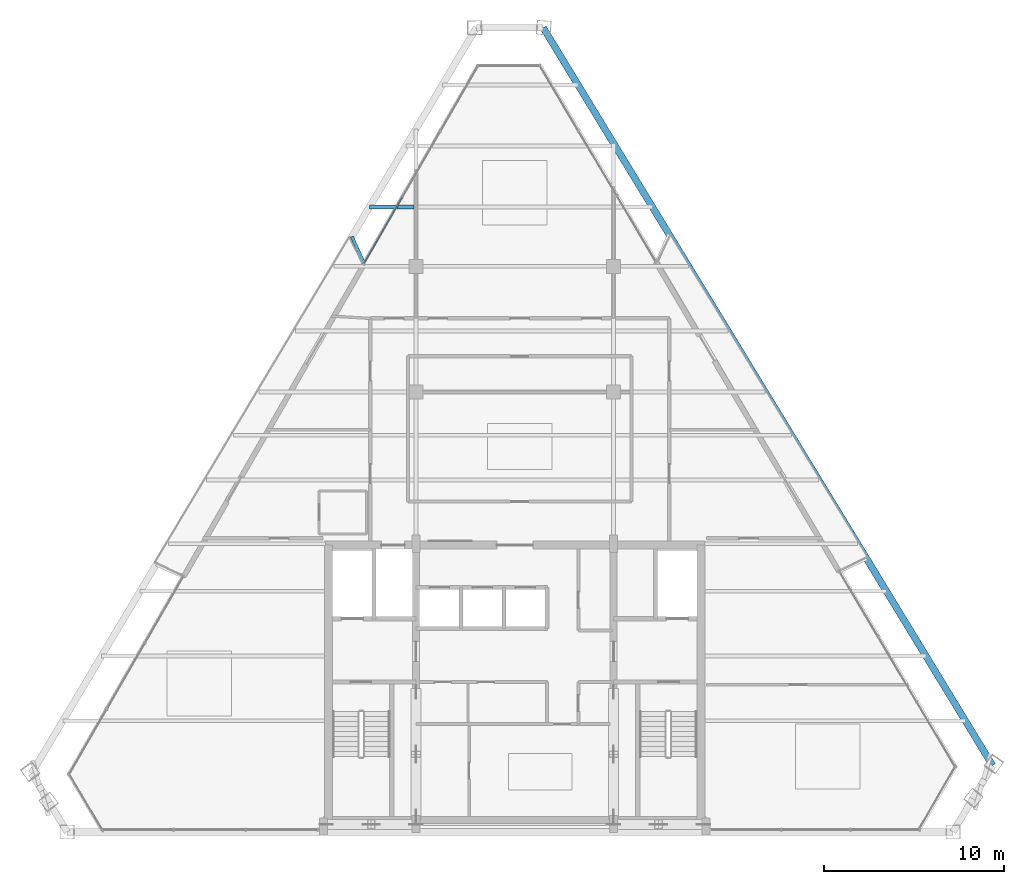
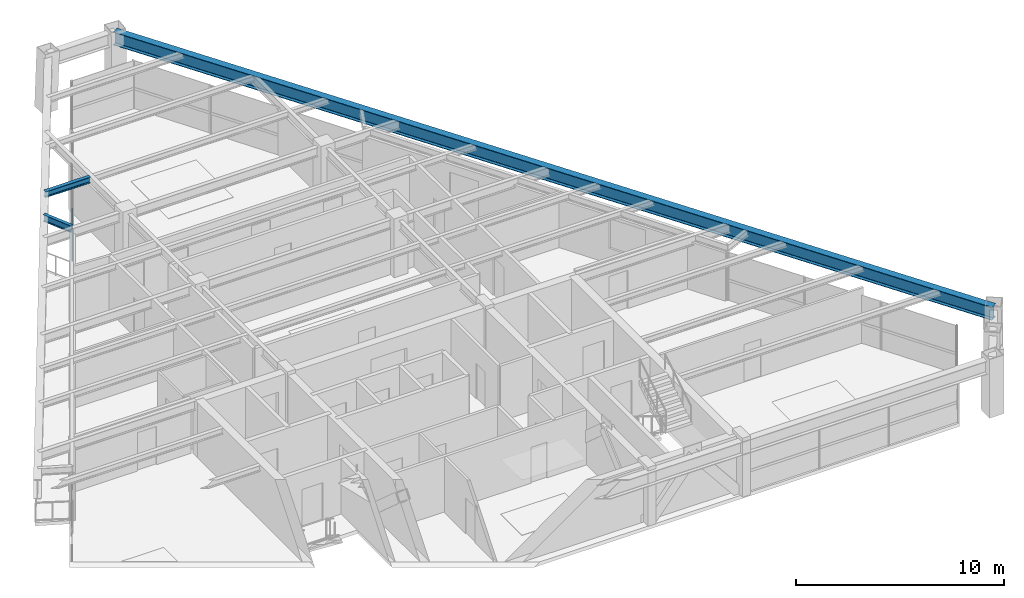
# One storey, part 6 of 13: 3 beams, 1 member, 1 element without a shape of its own.
"""IFC4 building model written with IfcOpenShell, lengths in metres."""

import ifcopenshell
import ifcopenshell.guid

model = None  # the IFC model being written
_history = None  # IfcOwnerHistory: only IFC2X3 demands one
_inside = {}  # id of a spatial element -> (the spatial element, [elements in it])
_under = {}  # id of a project, library or spatial element -> (it, [spatial elements below it])
_declared = {}  # id of a project -> (the project, [libraries it declares])
_typed = {}  # id of a type object -> (the type object, [elements of that type])
_made_of = {}  # id of a material, layer set ... -> (it, [elements and type objects made of it])


def new_model(schema):
    """Start an empty IFC model of exactly this schema.

    Asked for "IFC4X3", IfcOpenShell would pick the latest addendum, in which some entities
    have other attributes; the version numbers below select the first issue.
    IFC2X3 requires an IfcOwnerHistory on every rooted entity: one is made here for all.
    """
    global model, _history
    if schema == "IFC4X3":
        model = ifcopenshell.file(schema_version=(4, 3, 0, 0))
    else:
        model = ifcopenshell.file(schema=schema)
    _inside.clear()
    _under.clear()
    _declared.clear()
    _typed.clear()
    _made_of.clear()
    _history = None
    if model.schema == "IFC2X3":
        org = make("IfcOrganization", Name="unknown")
        user = make(
            "IfcPersonAndOrganization",
            ThePerson=make("IfcPerson", FamilyName="unknown"),
            TheOrganization=org,
        )
        app = make(
            "IfcApplication",
            ApplicationDeveloper=org,
            Version="unknown",
            ApplicationFullName="unknown",
            ApplicationIdentifier="unknown",
        )
        _history = make(
            "IfcOwnerHistory",
            OwningUser=user,
            OwningApplication=app,
            ChangeAction="ADDED",
            CreationDate=0,
        )
    return model


def make(cls, **values):
    """One entity of the class cls with the attributes given. An attribute that is None is left unset."""
    return model.create_entity(
        cls, **{name: value for name, value in values.items() if value is not None}
    )


def rooted(cls, **values):
    """An entity with a GlobalId (a new one), such as an element, a storey or a relation."""
    return make(cls, GlobalId=ifcopenshell.guid.new(), OwnerHistory=_history, **values)


def si_unit(unit_type, name, prefix=None):
    """IfcSIUnit, for example si_unit("LENGTHUNIT", "METRE", prefix="MILLI")."""
    return make("IfcSIUnit", UnitType=unit_type, Prefix=prefix, Name=name)


def assignment(units):
    """IfcUnitAssignment: the units of a project."""
    return None if units is None else make("IfcUnitAssignment", Units=units)


def point(xyz):
    """IfcCartesianPoint."""
    return None if xyz is None else make("IfcCartesianPoint", Coordinates=xyz)


def direction(xyz):
    """IfcDirection."""
    return None if xyz is None else make("IfcDirection", DirectionRatios=xyz)


def frame(location, z_axis=None, x_axis=None):
    """IfcAxis2Placement3D, a coordinate frame: its origin and axes. An axis left out is left unset."""
    return make(
        "IfcAxis2Placement3D",
        Location=point(location),
        Axis=direction(z_axis),
        RefDirection=direction(x_axis),
    )


def frame_2d(location, x_axis=None):
    """IfcAxis2Placement2D, a coordinate frame in the plane: its origin and x axis."""
    return make(
        "IfcAxis2Placement2D", Location=point(location), RefDirection=direction(x_axis)
    )


def origin():
    """The frame at (0, 0, 0) with its axes left unset."""
    return frame((0.0, 0.0, 0.0))


def origin_2d():
    """The frame at (0, 0) in the plane with its x axis left unset."""
    return frame_2d((0.0, 0.0))


def place(relative_to, where):
    """IfcLocalPlacement: puts the frame where relative to a parent placement (None: the world)."""
    return make(
        "IfcLocalPlacement", PlacementRelTo=relative_to, RelativePlacement=where
    )


def context(
    kind, dimensions, precision=None, world=None, true_north=None, identifier=None
):
    """IfcGeometricRepresentationContext, for example the 3D "Model" context."""
    return make(
        "IfcGeometricRepresentationContext",
        ContextIdentifier=identifier,
        ContextType=kind,
        CoordinateSpaceDimension=dimensions,
        Precision=precision,
        WorldCoordinateSystem=world,
        TrueNorth=true_north,
    )


def subcontext(parent, identifier, kind, view, scale=None):
    """IfcGeometricRepresentationSubContext, for example "Body" below "Model"."""
    return make(
        "IfcGeometricRepresentationSubContext",
        ContextIdentifier=identifier,
        ContextType=kind,
        ParentContext=parent,
        TargetScale=scale,
        TargetView=view,
    )


def project(units=None, contexts=None):
    """IfcProject with its units and contexts."""
    return rooted(
        "IfcProject",
        Name="project",
        RepresentationContexts=contexts,
        UnitsInContext=assignment(units),
    )


def spatial(cls, under=None, at=None, **own):
    """A site, building, storey or space (cls), placed at a placement, below another one or the project."""
    s = rooted(cls, ObjectPlacement=at, **own)
    if under is not None:
        _under.setdefault(under.id(), (under, []))[1].append(s)
    return s


def profile(cls, at=None, kind="AREA", **sizes):
    """A parametric profile (cls). Its sizes go by their IFC names, for example OverallWidth=200.0."""
    return make(cls, ProfileType=kind, Position=at, **sizes)


def rectangle(**sizes):
    """IfcRectangleProfileDef."""
    return profile("IfcRectangleProfileDef", **sizes)


def i_section(**sizes):
    """IfcIShapeProfileDef."""
    return profile("IfcIShapeProfileDef", **sizes)


def extrude(swept, where, along, depth):
    """IfcExtrudedAreaSolid: the profile swept, set in the frame where, extruded along a direction by depth."""
    return make(
        "IfcExtrudedAreaSolid",
        SweptArea=swept,
        Position=where,
        ExtrudedDirection=direction(along),
        Depth=depth,
    )


def shape(context_of_items, identifier, shape_type, items):
    """IfcShapeRepresentation: the items that make up one representation, for example the "Body"."""
    return make(
        "IfcShapeRepresentation",
        ContextOfItems=context_of_items,
        RepresentationIdentifier=identifier,
        RepresentationType=shape_type,
        Items=items,
    )


def source(mapping_origin, context_of_items, identifier, shape_type, items):
    """IfcRepresentationMap: a shape defined once, which mapped items show again and again."""
    return make(
        "IfcRepresentationMap",
        MappingOrigin=mapping_origin,
        MappedRepresentation=shape(context_of_items, identifier, shape_type, items),
    )


def transform(
    local_origin,
    x_axis=None,
    y_axis=None,
    z_axis=None,
    scale=None,
    scale2=None,
    scale3=None,
    uniform=True,
):
    """IfcCartesianTransformationOperator3D, or its non-uniform kind. x_axis, y_axis, z_axis: its Axis1, 2, 3."""
    if uniform:
        return make(
            "IfcCartesianTransformationOperator3D",
            Axis1=direction(x_axis),
            Axis2=direction(y_axis),
            LocalOrigin=point(local_origin),
            Scale=scale,
            Axis3=direction(z_axis),
        )
    return make(
        "IfcCartesianTransformationOperator3DnonUniform",
        Axis1=direction(x_axis),
        Axis2=direction(y_axis),
        LocalOrigin=point(local_origin),
        Scale=scale,
        Axis3=direction(z_axis),
        Scale2=scale2,
        Scale3=scale3,
    )


def mapped(mapping_source, mapping_target):
    """IfcMappedItem: shows the shape of a source again, moved by a transform."""
    return make(
        "IfcMappedItem", MappingSource=mapping_source, MappingTarget=mapping_target
    )


def material(Name=None, Category=None):
    """IfcMaterial."""
    return make("IfcMaterial", Name=Name, Category=Category)


def material_profile(
    of_material, cross_section, Name=None, Category=None, Priority=None
):
    """IfcMaterialProfile: a cross section and its material."""
    return make(
        "IfcMaterialProfile",
        Name=Name,
        Material=of_material,
        Profile=cross_section,
        Priority=Priority,
        Category=Category,
    )


def profile_set(profiles, Name=None, composite=None):
    """IfcMaterialProfileSet."""
    return make(
        "IfcMaterialProfileSet",
        Name=Name,
        MaterialProfiles=profiles,
        CompositeProfile=composite,
    )


def made_of(thing, what):
    """Note that an element or type object is made of a material, layer set ...; save() writes the relation."""
    if what is not None:
        _made_of.setdefault(what.id(), (what, []))[1].append(thing)
    return thing


def type_object(cls, material=None, **own):
    """A type object (cls), such as IfcWallType, which elements share."""
    return made_of(rooted(cls, **own), material)


def element(
    cls,
    number,
    at=None,
    inside=None,
    cuts=None,
    type_object=None,
    material=None,
    context=None,
    identifier="Body",
    shape_type=None,
    held_by="IfcProductDefinitionShape",
    body=None,
    shapes=None,
    **own,
):
    """One element of the class cls, such as IfcWall. Its Tag is "e" and its number.

    at: its placement. inside: the storey or other place that contains it. cuts: it is an
    opening in that element (IfcRelVoidsElement). A single representation is given by context,
    identifier, shape_type and body (its items); several are given by shapes. held_by: the class
    of the entity that holds the representations. save() writes the other relations.
    """
    e = rooted(cls, Tag="e%d" % number, ObjectPlacement=at, **own)
    if body is not None:
        shapes = [shape(context, identifier, shape_type, body)]
    if shapes is not None:
        e.Representation = make(held_by, Representations=shapes)
    if inside is not None:
        _inside.setdefault(inside.id(), (inside, []))[1].append(e)
    if cuts is not None:
        rooted(
            "IfcRelVoidsElement", RelatingBuildingElement=cuts, RelatedOpeningElement=e
        )
    if type_object is not None:
        _typed.setdefault(type_object.id(), (type_object, []))[1].append(e)
    return made_of(e, material)


def aggregate(whole, parts):
    """IfcRelAggregates: a whole, such as a stair, and the parts it consists of."""
    return rooted("IfcRelAggregates", RelatingObject=whole, RelatedObjects=parts)


def save(model, path):
    """Write the relations noted so far, then the file.

    IfcRelAggregates (storeys below a building ...), IfcRelContainedInSpatialStructure (elements
    in a storey), IfcRelDefinesByType, IfcRelAssociatesMaterial and IfcRelDeclares: one each for
    every whole, place, type object, material and project.
    """
    for whole, parts in _under.values():
        aggregate(whole, parts)
    for where, things in _inside.values():
        rooted(
            "IfcRelContainedInSpatialStructure",
            RelatedElements=things,
            RelatingStructure=where,
        )
    for kind, things in _typed.values():
        rooted("IfcRelDefinesByType", RelatedObjects=things, RelatingType=kind)
    for what, things in _made_of.values():
        rooted("IfcRelAssociatesMaterial", RelatedObjects=things, RelatingMaterial=what)
    for by, libraries in _declared.values():
        rooted("IfcRelDeclares", RelatingContext=by, RelatedDefinitions=libraries)
    model.write(path)


model = new_model("IFC4")

# Units and contexts
model_context = context("Model", 3, precision=1e-05, world=origin(), true_north=direction((0.0, 1.0)))
body_context = subcontext(model_context, "Body", "Model", "MODEL_VIEW")
ifc_project = project(units=[si_unit("LENGTHUNIT", "METRE"), si_unit("AREAUNIT", "SQUARE_METRE"), si_unit("VOLUMEUNIT", "CUBIC_METRE"), si_unit("PLANEANGLEUNIT", "RADIAN"), si_unit("MASSUNIT", "GRAM", prefix="KILO")], contexts=[model_context])

# Site, building, storey
site_placement = place(None, origin())
site = spatial("IfcSite", under=ifc_project, at=site_placement, CompositionType="ELEMENT")
building_placement = place(site_placement, origin())
building = spatial("IfcBuilding", under=site, at=building_placement, Name="Varnakhor Terracotta Tower", CompositionType="ELEMENT")
storey_placement = place(building_placement, frame((0.0, 0.0, 276.449951171875)))
storey = spatial("IfcBuildingStorey", under=building, at=storey_placement, Name="L72", CompositionType="ELEMENT", Elevation=276.449951171875)

# Beams
ifc_material_1 = material(Name="Steel S355", Category="steel")
ifc_material_profile_1 = material_profile(ifc_material_1, i_section(OverallWidth=0.381103515625, OverallDepth=0.77294921875, WebThickness=0.01708984375, FlangeThickness=0.027099609375, FilletRadius=0.01806640625, at=origin_2d()), Name="W30X173")
ifc_profile_set_1 = profile_set([ifc_material_profile_1], Name="Steel S355")
beam_type_1 = type_object("IfcBeamType", Name="BM-W30X173", PredefinedType="BEAM", material=ifc_profile_set_1)
shared_shape_1 = source(origin(), body_context, "Body", "SweptSolid", [
    extrude(i_section(OverallWidth=0.381103515625, OverallDepth=0.77294921875, WebThickness=0.01708984375, FlangeThickness=0.027099609375, FilletRadius=0.01806640625, at=origin_2d()), origin(), (0.0, 0.0, 1.0), 48.109619140625),
])
beam_1_placement = place(storey_placement, frame((26.607177734375, 3.69970703125, 2.853515625), z_axis=(-0.520214163862, 0.854035844516, 0.0), x_axis=(-0.854035844516, -0.520214163862, 0.0)))
element("IfcBeam", 1, at=beam_1_placement, inside=storey, type_object=beam_type_1, Name="L72 Perimeter Spandrel 4", PredefinedType="BEAM", context=body_context, shape_type="MappedRepresentation", body=[
    mapped(shared_shape_1, transform((0.0, 0.0, 0.0), scale=1.0)),
])
ifc_material_profile_2 = material_profile(ifc_material_1, i_section(OverallWidth=0.202880859375, OverallDepth=0.346923828125, WebThickness=0.0078125, FlangeThickness=0.013427734375, FilletRadius=0.01806640625, at=origin_2d()), Name="W14X43")
ifc_profile_set_2 = profile_set([ifc_material_profile_2], Name="Steel S355")
beam_type_2 = type_object("IfcBeamType", Name="JST-W14X43", PredefinedType="JOIST", material=ifc_profile_set_2)
shared_shape_2 = source(origin(), body_context, "Body", "SweptSolid", [
    extrude(i_section(OverallWidth=0.202880859375, OverallDepth=0.346923828125, WebThickness=0.0078125, FlangeThickness=0.013427734375, FilletRadius=0.01806640625, at=origin_2d()), origin(), (0.0, 0.0, 1.0), 2.49365234375),
])
beam_2_placement = place(storey_placement, frame((-8.0966796875, 34.800048828125, 3.066650390625), z_axis=(1.0, 0.0, 0.0), x_axis=(0.0, 1.0, 0.0)))
element("IfcBeam", 2, at=beam_2_placement, inside=storey, type_object=beam_type_2, Name="L72 Composite Floor Joist 7-1", PredefinedType="JOIST", context=body_context, shape_type="MappedRepresentation", body=[
    mapped(shared_shape_2, transform((0.0, 0.0, 0.0), scale=1.0)),
])

# Curtain wall, member
ifc_material_2 = material(Name="Anodised Aluminium Curtain Wall System", Category="aluminium")
curtain_wall_type = type_object("IfcCurtainWallType", Name="CW-SYS-HOTEL-LOGGIA", PredefinedType="NOTDEFINED", material=ifc_material_2)
curtain_wall_placement = place(storey_placement, origin())
curtain_wall = element("IfcCurtainWall", 3, at=curtain_wall_placement, inside=storey, type_object=curtain_wall_type, Name="L72 W Facet Curtain Wall 2", PredefinedType="NOTDEFINED")
ifc_material_3 = material(Name="Anodised Aluminium 6063-T6", Category="aluminium")
ifc_material_profile_3 = material_profile(ifc_material_3, rectangle(XDim=0.06494140625, YDim=0.14501953125, at=origin_2d()), Name="ALU TRANSOM 65x145")
ifc_profile_set_3 = profile_set([ifc_material_profile_3], Name="Anodised Aluminium 6063-T6")
member_type = type_object("IfcMemberType", Name="CWT-04", PredefinedType="USERDEFINED", material=ifc_profile_set_3)
shared_shape_3 = source(origin(), body_context, "Body", "SweptSolid", [
    extrude(rectangle(XDim=0.06494140625, YDim=0.14501953125, at=origin_2d()), origin(), (0.0, 0.0, 1.0), 4.242919921875),
])
member_placement = place(storey_placement, frame((-8.387451171875, 31.668701171875, 1.1845703125), z_axis=(0.500081062413, 0.86597859732, 0.0), x_axis=(-0.86597859732, 0.500081062413, 0.0)))
member = element("IfcMember", 4, at=member_placement, type_object=member_type, Name="L72 W Facet Curtain Wall 2 Transom 1", ObjectType="TRANSOM", PredefinedType="USERDEFINED", context=body_context, shape_type="MappedRepresentation", body=[
    mapped(shared_shape_3, transform((0.0, 0.0, 0.0), scale=1.0)),
])
aggregate(curtain_wall, [member])

# Beam
ifc_material_profile_4 = material_profile(ifc_material_1, i_section(OverallWidth=0.179931640625, OverallDepth=0.39990234375, WebThickness=0.008544921875, FlangeThickness=0.013427734375, FilletRadius=0.01806640625, at=origin_2d()), Name="IPE400")
ifc_profile_set_4 = profile_set([ifc_material_profile_4], Name="Steel S355")
beam_type_3 = type_object("IfcBeamType", Name="JST-IPE400", PredefinedType="JOIST", material=ifc_profile_set_4)
shared_shape_4 = source(origin(), body_context, "Body", "SweptSolid", [
    extrude(i_section(OverallWidth=0.179931640625, OverallDepth=0.39990234375, WebThickness=0.008544921875, FlangeThickness=0.013427734375, FilletRadius=0.01806640625, at=origin_2d()), origin(), (0.0, 0.0, 1.0), 1.635498046875),
])
beam_3_placement = place(storey_placement, frame((-8.399169921875, 31.670654296875, 3.0400390625), z_axis=(-0.41334177539, 0.910575958785, 0.0), x_axis=(-0.910575958785, -0.41334177539, 0.0)))
element("IfcBeam", 5, at=beam_3_placement, inside=storey, type_object=beam_type_3, Name="L73 W Loggia Tie Beam 2", PredefinedType="JOIST", context=body_context, shape_type="MappedRepresentation", body=[
    mapped(shared_shape_4, transform((0.0, 0.0, 0.0), scale=1.0)),
])

save(model, "model.ifc")
